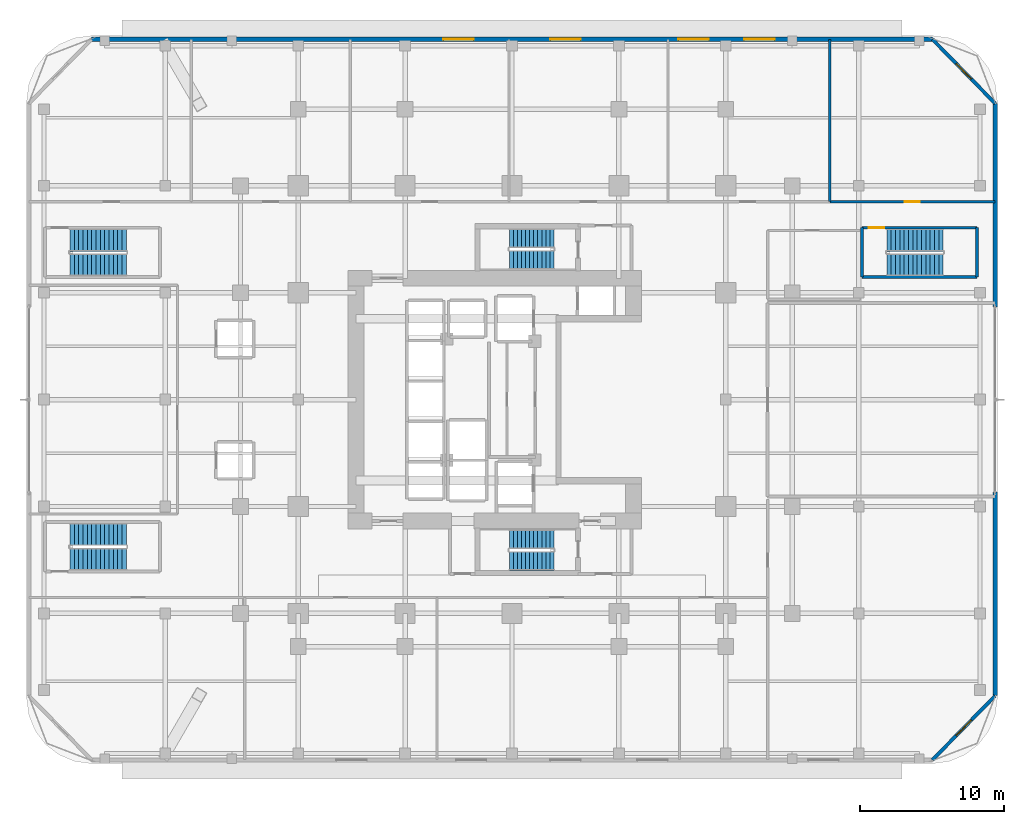
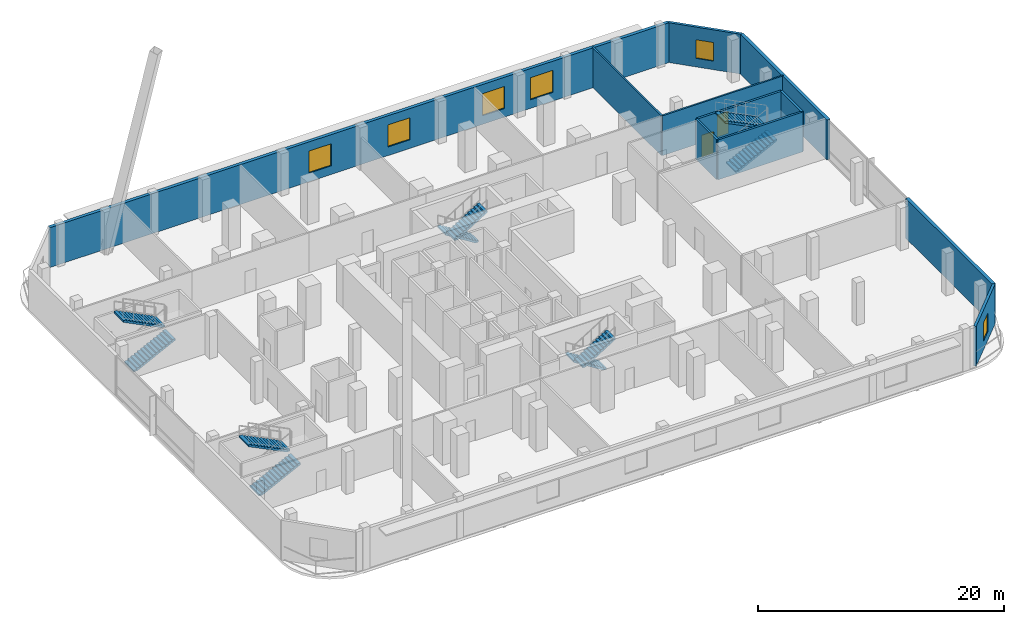
# One storey, part 11 of 19: 11 walls, 10 stair flights, 6 windows, 2 doors, 8 openings, 5 elements without a shape of their own.
"""IFC4 building model written with IfcOpenShell, lengths in metres."""

from ifc_helpers import new_model, si_unit, direction, frame, frame_2d, origin, place, context, subcontext, project, spatial, polyline, rectangle, outline, extrude, material, layer, layer_set, type_object, element, fill, aggregate, save


model = new_model("IFC4")

# Units and contexts
model_context = context("Model", 3, precision=1e-05, world=origin(), true_north=direction((0.0, 1.0)))
body_context = subcontext(model_context, "Body", "Model", "MODEL_VIEW")
ifc_project = project(units=[si_unit("LENGTHUNIT", "METRE"), si_unit("AREAUNIT", "SQUARE_METRE"), si_unit("VOLUMEUNIT", "CUBIC_METRE"), si_unit("PLANEANGLEUNIT", "RADIAN"), si_unit("MASSUNIT", "GRAM", prefix="KILO")], contexts=[model_context])

# Site, building, storey
site_placement = place(None, origin())
site = spatial("IfcSite", under=ifc_project, at=site_placement, CompositionType="ELEMENT")
building_placement = place(site_placement, origin())
building = spatial("IfcBuilding", under=site, at=building_placement, Name="Khorvyn Point Tower", CompositionType="ELEMENT")
storey_placement = place(building_placement, frame((0.0, 0.0, 4.800048828125)))
storey = spatial("IfcBuildingStorey", under=building, at=storey_placement, Name="L02", CompositionType="ELEMENT", Elevation=4.800048828125)

# Wall, opening, window
ifc_material_1 = material(Name="Pale anodised aluminium rainscreen on steel stud", Category="steel")
ifc_layer_1 = layer(ifc_material_1, 0.239990234375)
ifc_layer_set_1 = layer_set([ifc_layer_1], Name="Anodised Aluminium Insulated Corner Spandrel Wall 240")
wall_type_1 = type_object("IfcWallType", Name="Anodised Aluminium Insulated Corner Spandrel Wall 240", PredefinedType="SOLIDWALL", material=ifc_layer_set_1)
wall_1_placement = place(storey_placement, frame((29.10009765625, 24.949951171875, 0.0), z_axis=(0.0, 0.0, 1.0), x_axis=(0.69901822973, -0.715103848756, 0.0)))
wall_1 = element("IfcWall", 1, at=wall_1_placement, inside=storey, type_object=wall_type_1, Name="L02 Rounded Corner Wall NE", PredefinedType="SOLIDWALL", context=body_context, shape_type="SweptSolid", body=[
    extrude(rectangle(XDim=6.222900390625, YDim=0.239990234375, at=frame_2d((3.111328125, 0.0))), origin(), (0.0, 0.0, 1.0), 3.9599609375),
])
opening_1_placement = place(wall_1_placement, frame((2.361572265625, 0.0, 0.85009765625)))
opening_1 = element("IfcOpeningElement", 2, at=opening_1_placement, cuts=wall_1, Name="Opening WN-1518", PredefinedType="OPENING", context=body_context, shape_type="SweptSolid", body=[
    extrude(rectangle(XDim=1.5, YDim=1.85009765625, at=frame_2d((0.75, 0.925048828125))), frame((0.0, 0.1298828125, 0.0), z_axis=(0.0, -1.0, 0.0), x_axis=(1.0, 0.0, 0.0)), (0.0, 0.0, 1.0), 0.260009765625),
])
ifc_material_2 = material(Name="Anodised aluminium 6063-T6 and laminated Low-E glass", Category="aluminium")
window_type_1 = type_object("IfcWindowType", Name="Anodised Aluminium Rounded-Corner Panoramic Window 1500x1850", PartitioningType="SINGLE_PANEL", PredefinedType="WINDOW", material=ifc_material_2)
window_1_placement = place(opening_1_placement, origin())
window_1 = element("IfcWindow", 3, at=window_1_placement, inside=storey, type_object=window_type_1, Name="L02 Corner Window NE", OverallHeight=1.85009765625, OverallWidth=1.5, PartitioningType="SINGLE_PANEL", PredefinedType="WINDOW", context=body_context, shape_type="SweptSolid", body=[
    extrude(rectangle(XDim=1.5, YDim=1.85009765625, at=frame_2d((0.75, 0.925048828125))), frame((0.0, 0.030029296875, 0.0), z_axis=(0.0, -1.0, 0.0), x_axis=(1.0, 0.0, 0.0)), (0.0, 0.0, 1.0), 0.06005859375),
])
fill(opening_1, window_1)

wall_2_placement = place(storey_placement, frame((33.449951171875, -20.5, 0.0), z_axis=(0.0, 0.0, 1.0), x_axis=(-0.69901822973, -0.715103848756, 0.0)))
wall_2 = element("IfcWall", 4, at=wall_2_placement, inside=storey, type_object=wall_type_1, Name="L02 Rounded Corner Wall SE", PredefinedType="SOLIDWALL", context=body_context, shape_type="SweptSolid", body=[
    extrude(rectangle(XDim=6.222900390625, YDim=0.239990234375, at=frame_2d((3.111328125, 0.0))), origin(), (0.0, 0.0, 1.0), 3.9599609375),
])
opening_2_placement = place(wall_2_placement, frame((2.361572265625, 0.0, 0.85009765625)))
opening_2 = element("IfcOpeningElement", 5, at=opening_2_placement, cuts=wall_2, Name="Opening WN-1518", PredefinedType="OPENING", context=body_context, shape_type="SweptSolid", body=[
    extrude(rectangle(XDim=1.5, YDim=1.85009765625, at=frame_2d((0.75, 0.925048828125))), frame((0.0, 0.1298828125, 0.0), z_axis=(0.0, -1.0, 0.0), x_axis=(1.0, 0.0, 0.0)), (0.0, 0.0, 1.0), 0.260009765625),
])
window_2_placement = place(opening_2_placement, origin())
window_2 = element("IfcWindow", 6, at=window_2_placement, inside=storey, type_object=window_type_1, Name="L02 Corner Window SE", OverallHeight=1.85009765625, OverallWidth=1.5, PartitioningType="SINGLE_PANEL", PredefinedType="WINDOW", context=body_context, shape_type="SweptSolid", body=[
    extrude(rectangle(XDim=1.5, YDim=1.85009765625, at=frame_2d((0.75, 0.925048828125))), frame((0.0, 0.030029296875, 0.0), z_axis=(0.0, -1.0, 0.0), x_axis=(1.0, 0.0, 0.0)), (0.0, 0.0, 1.0), 0.06005859375),
])
fill(opening_2, window_2)

# Walls
ifc_material_3 = material(Name="Concrete C40/50", Category="concrete")
ifc_layer_2 = layer(ifc_material_3, 0.199951171875)
ifc_layer_set_2 = layer_set([ifc_layer_2], Name="Concrete C40/50 Structural Hoistway and Stair Shaft Wall 200")
wall_type_2 = type_object("IfcWallType", Name="Concrete C40/50 Structural Hoistway and Stair Shaft Wall 200", PredefinedType="SHEAR", material=ifc_layer_set_2)
for number, where, z_axis, x_axis, name in (
    (7, (24.219970703125, 8.47998046875, 0.0), (0.0, 0.0, 1.0), (0.0, 1.0, 0.0), "Wall"),
    (8, (32.179931640625, 11.89990234375, 0.0), (0.0, 0.0, 1.0), (0.0, -1.0, 0.0), "Wall"),
):
    element("IfcWall", number, at=place(storey_placement, frame(where, z_axis=z_axis, x_axis=x_axis)), inside=storey, type_object=wall_type_2, Name=name, PredefinedType="SHEAR", context=body_context, shape_type="SweptSolid", body=[
        extrude(rectangle(XDim=3.419921875, YDim=0.199951171875, at=frame_2d((1.7099609375, 0.0))), origin(), (0.0, 0.0, 1.0), 3.9599609375),
    ])
wall_3_placement = place(storey_placement, frame((32.179931640625, 8.47998046875, 0.0), z_axis=(0.0, 0.0, 1.0), x_axis=(-1.0, 0.0, 0.0)))
element("IfcWall", 9, at=wall_3_placement, inside=storey, type_object=wall_type_2, Name="Wall", PredefinedType="SHEAR", context=body_context, shape_type="SweptSolid", body=[
    extrude(rectangle(XDim=7.9599609375, YDim=0.199951171875, at=frame_2d((3.97998046875, 0.0))), origin(), (0.0, 0.0, 1.0), 3.9599609375),
])

# Wall, opening, door
wall_4_placement = place(storey_placement, frame((24.219970703125, 11.89990234375, 0.0), z_axis=(0.0, 0.0, 1.0), x_axis=(1.0, 0.0, 0.0)))
wall_4 = element("IfcWall", 10, at=wall_4_placement, inside=storey, type_object=wall_type_2, Name="Wall", PredefinedType="SHEAR", context=body_context, shape_type="SweptSolid", body=[
    extrude(rectangle(XDim=7.9599609375, YDim=0.199951171875, at=frame_2d((3.97998046875, 0.0))), origin(), (0.0, 0.0, 1.0), 3.9599609375),
])
opening_3_placement = place(wall_4_placement, frame((0.4599609375, 0.0, 0.0)))
opening_3 = element("IfcOpeningElement", 11, at=opening_3_placement, cuts=wall_4, Name="Opening ID-FL90", PredefinedType="OPENING", context=body_context, shape_type="SweptSolid", body=[
    extrude(rectangle(XDim=1.10009765625, YDim=2.14990234375, at=frame_2d((0.550048828125, 1.074951171875))), frame((0.0, 0.10986328125, 0.0), z_axis=(0.0, -1.0, 0.0), x_axis=(1.0, 0.0, 0.0)), (0.0, 0.0, 1.0), 0.219970703125),
])
ifc_material_4 = material(Name="Galvanised powder-coated steel", Category="steel")
door_type_1 = type_object("IfcDoorType", Name="Fire-Rated Steel Lobby and Stair Door 1100x2150", OperationType="NOTDEFINED", PredefinedType="DOOR", material=ifc_material_4)
door_1_placement = place(opening_3_placement, origin())
door_1 = element("IfcDoor", 12, at=door_1_placement, inside=storey, type_object=door_type_1, Name="L02 ST-S3 Smokeproof Landing Door", OperationType="SINGLE_SWING_LEFT", OverallHeight=2.14990234375, OverallWidth=1.10009765625, PredefinedType="DOOR", context=body_context, shape_type="SweptSolid", body=[
    extrude(rectangle(XDim=1.10009765625, YDim=2.14990234375, at=frame_2d((0.550048828125, 1.074951171875))), frame((0.0, 0.02490234375, 0.0), z_axis=(0.0, -1.0, 0.0), x_axis=(1.0, 0.0, 0.0)), (0.0, 0.0, 1.0), 0.050048828125),
])
fill(opening_3, door_1)

ifc_material_5 = material(Name="Moisture-resistant gypsum and cement board", Category="gypsum")
ifc_layer_3 = layer(ifc_material_5, 0.14990234375)
ifc_layer_set_3 = layer_set([ifc_layer_3], Name="Moisture-Resistant Wet-Room Partition Wall 150")
wall_type_3 = type_object("IfcWallType", Name="Moisture-Resistant Wet-Room Partition Wall 150", PredefinedType="PARTITIONING", material=ifc_layer_set_3)
wall_5_placement = place(storey_placement, frame((22.0, 13.699951171875, 0.0), z_axis=(0.0, 0.0, 1.0), x_axis=(1.0, 0.0, 0.0)))
wall_5 = element("IfcWall", 13, at=wall_5_placement, inside=storey, type_object=wall_type_3, Name="Wall", PredefinedType="PARTITIONING", context=body_context, shape_type="SweptSolid", body=[
    extrude(rectangle(XDim=11.419921875, YDim=0.14990234375, at=frame_2d((5.7099609375, 0.0))), origin(), (0.0, 0.0, 1.0), 3.9599609375),
])
opening_4_placement = place(wall_5_placement, frame((5.18505859375, 0.0, 0.0)))
opening_4 = element("IfcOpeningElement", 14, at=opening_4_placement, cuts=wall_5, Name="Opening ID-CL30", PredefinedType="OPENING", context=body_context, shape_type="SweptSolid", body=[
    extrude(rectangle(XDim=1.050048828125, YDim=2.199951171875, at=frame_2d((0.52490234375, 1.10009765625))), frame((0.0, 0.0849609375, 0.0), z_axis=(0.0, -1.0, 0.0), x_axis=(1.0, 0.0, 0.0)), (0.0, 0.0, 1.0), 0.169921875),
])
ifc_material_6 = material(Name="Hardwood timber and wired safety glass", Category="wood")
door_type_2 = type_object("IfcDoorType", Name="Glazed-Vision-Panel Classroom Timber Door 1050x2200", OperationType="NOTDEFINED", PredefinedType="DOOR", material=ifc_material_6)
door_2_placement = place(opening_4_placement, origin())
door_2 = element("IfcDoor", 15, at=door_2_placement, inside=storey, type_object=door_type_2, Name="Door", OperationType="SINGLE_SWING_LEFT", OverallHeight=2.199951171875, OverallWidth=1.050048828125, PredefinedType="DOOR", context=body_context, shape_type="SweptSolid", body=[
    extrude(rectangle(XDim=1.050048828125, YDim=2.199951171875, at=frame_2d((0.52490234375, 1.10009765625))), frame((0.0, 0.02490234375, 0.0), z_axis=(0.0, -1.0, 0.0), x_axis=(1.0, 0.0, 0.0)), (0.0, 0.0, 1.0), 0.050048828125),
])
fill(opening_4, door_2)

# Wall
wall_6_placement = place(storey_placement, frame((22.0, 13.699951171875, 0.0), z_axis=(0.0, 0.0, 1.0), x_axis=(0.0, 1.0, 0.0)))
element("IfcWall", 16, at=wall_6_placement, inside=storey, type_object=wall_type_3, Name="Wall", PredefinedType="PARTITIONING", context=body_context, shape_type="SweptSolid", body=[
    extrude(rectangle(XDim=11.219970703125, YDim=0.14990234375, at=frame_2d((5.60986328125, 0.0))), origin(), (0.0, 0.0, 1.0), 3.9599609375),
])

# Wall, openings, windows
ifc_material_7 = material(Name="Precast concrete C35/45", Category="concrete")
ifc_layer_4 = layer(ifc_material_7, 0.300048828125)
ifc_layer_set_4 = layer_set([ifc_layer_4], Name="Precast Concrete C35/45 Insulated Podium Facade Wall 300")
wall_type_4 = type_object("IfcWallType", Name="Precast Concrete C35/45 Insulated Podium Facade Wall 300", PredefinedType="SOLIDWALL", material=ifc_layer_set_4)
wall_7_placement = place(storey_placement, frame((-29.10009765625, 24.949951171875, 0.0), z_axis=(0.0, 0.0, 1.0), x_axis=(1.0, 0.0, 0.0)))
wall_7 = element("IfcWall", 17, at=wall_7_placement, inside=storey, type_object=wall_type_4, Name="L02 North Podium Facade Wall", PredefinedType="SOLIDWALL", context=body_context, shape_type="SweptSolid", body=[
    extrude(rectangle(XDim=58.2001953125, YDim=0.300048828125, at=frame_2d((29.10009765625, 0.0))), origin(), (0.0, 0.0, 1.0), 3.9599609375),
])
opening_5_placement = place(wall_7_placement, frame((24.35009765625, 0.0, 0.85009765625)))
opening_5 = element("IfcOpeningElement", 18, at=opening_5_placement, cuts=wall_7, Name="Opening WN-2122", PredefinedType="OPENING", context=body_context, shape_type="SweptSolid", body=[
    extrude(rectangle(XDim=2.10009765625, YDim=2.199951171875, at=frame_2d((1.050048828125, 1.10009765625))), frame((0.0, 0.159912109375, 0.0), z_axis=(0.0, -1.0, 0.0), x_axis=(1.0, 0.0, 0.0)), (0.0, 0.0, 1.0), 0.320068359375),
])
opening_6_placement = place(wall_7_placement, frame((31.75, 0.0, 0.85009765625)))
opening_6 = element("IfcOpeningElement", 19, at=opening_6_placement, cuts=wall_7, Name="Opening WN-2122", PredefinedType="OPENING", context=body_context, shape_type="SweptSolid", body=[
    extrude(rectangle(XDim=2.10009765625, YDim=2.199951171875, at=frame_2d((1.050048828125, 1.10009765625))), frame((0.0, 0.159912109375, 0.0), z_axis=(0.0, -1.0, 0.0), x_axis=(1.0, 0.0, 0.0)), (0.0, 0.0, 1.0), 0.320068359375),
])
opening_7_placement = place(wall_7_placement, frame((40.625, 0.0, 0.85009765625)))
opening_7 = element("IfcOpeningElement", 20, at=opening_7_placement, cuts=wall_7, Name="Opening WN-2122", PredefinedType="OPENING", context=body_context, shape_type="SweptSolid", body=[
    extrude(rectangle(XDim=2.10009765625, YDim=2.199951171875, at=frame_2d((1.050048828125, 1.10009765625))), frame((0.0, 0.159912109375, 0.0), z_axis=(0.0, -1.0, 0.0), x_axis=(1.0, 0.0, 0.0)), (0.0, 0.0, 1.0), 0.320068359375),
])
opening_8_placement = place(wall_7_placement, frame((45.175048828125, 0.0, 0.85009765625)))
opening_8 = element("IfcOpeningElement", 21, at=opening_8_placement, cuts=wall_7, Name="Opening WN-2122", PredefinedType="OPENING", context=body_context, shape_type="SweptSolid", body=[
    extrude(rectangle(XDim=2.10009765625, YDim=2.199951171875, at=frame_2d((1.050048828125, 1.10009765625))), frame((0.0, 0.159912109375, 0.0), z_axis=(0.0, -1.0, 0.0), x_axis=(1.0, 0.0, 0.0)), (0.0, 0.0, 1.0), 0.320068359375),
])
window_type_2 = type_object("IfcWindowType", Name="Anodised Aluminium School Classroom Daylight Window 2100x2200", PartitioningType="TRIPLE_PANEL_HORIZONTAL", PredefinedType="WINDOW", material=ifc_material_2)
window_3_placement = place(opening_5_placement, origin())
window_3 = element("IfcWindow", 22, at=window_3_placement, inside=storey, type_object=window_type_2, Name="L02 North Classroom Daylight Window N1", OverallHeight=2.199951171875, OverallWidth=2.10009765625, PartitioningType="SINGLE_PANEL", PredefinedType="WINDOW", context=body_context, shape_type="SweptSolid", body=[
    extrude(rectangle(XDim=2.10009765625, YDim=2.199951171875, at=frame_2d((1.050048828125, 1.10009765625))), frame((0.0, 0.030029296875, 0.0), z_axis=(0.0, -1.0, 0.0), x_axis=(1.0, 0.0, 0.0)), (0.0, 0.0, 1.0), 0.06005859375),
])
fill(opening_5, window_3)
window_4_placement = place(opening_6_placement, origin())
window_4 = element("IfcWindow", 23, at=window_4_placement, inside=storey, type_object=window_type_2, Name="L02 North Classroom Daylight Window N2", OverallHeight=2.199951171875, OverallWidth=2.10009765625, PartitioningType="SINGLE_PANEL", PredefinedType="WINDOW", context=body_context, shape_type="SweptSolid", body=[
    extrude(rectangle(XDim=2.10009765625, YDim=2.199951171875, at=frame_2d((1.050048828125, 1.10009765625))), frame((0.0, 0.030029296875, 0.0), z_axis=(0.0, -1.0, 0.0), x_axis=(1.0, 0.0, 0.0)), (0.0, 0.0, 1.0), 0.06005859375),
])
fill(opening_6, window_4)
window_5_placement = place(opening_7_placement, origin())
window_5 = element("IfcWindow", 24, at=window_5_placement, inside=storey, type_object=window_type_2, Name="L02 North Classroom Daylight Window N3", OverallHeight=2.199951171875, OverallWidth=2.10009765625, PartitioningType="SINGLE_PANEL", PredefinedType="WINDOW", context=body_context, shape_type="SweptSolid", body=[
    extrude(rectangle(XDim=2.10009765625, YDim=2.199951171875, at=frame_2d((1.050048828125, 1.10009765625))), frame((0.0, 0.030029296875, 0.0), z_axis=(0.0, -1.0, 0.0), x_axis=(1.0, 0.0, 0.0)), (0.0, 0.0, 1.0), 0.06005859375),
])
fill(opening_7, window_5)
window_6_placement = place(opening_8_placement, origin())
window_6 = element("IfcWindow", 25, at=window_6_placement, inside=storey, type_object=window_type_2, Name="L02 North Classroom Daylight Window N4", OverallHeight=2.199951171875, OverallWidth=2.10009765625, PartitioningType="SINGLE_PANEL", PredefinedType="WINDOW", context=body_context, shape_type="SweptSolid", body=[
    extrude(rectangle(XDim=2.10009765625, YDim=2.199951171875, at=frame_2d((1.050048828125, 1.10009765625))), frame((0.0, 0.030029296875, 0.0), z_axis=(0.0, -1.0, 0.0), x_axis=(1.0, 0.0, 0.0)), (0.0, 0.0, 1.0), 0.06005859375),
])
fill(opening_8, window_6)

# Walls
for number, where, z_axis, x_axis, name in (
    (26, (33.449951171875, -20.5, 0.0), (0.0, 0.0, 1.0), (0.0, 1.0, 0.0), "Wall"),
    (27, (33.449951171875, 6.409912109375, 0.0), (0.0, 0.0, 1.0), (0.0, 1.0, 0.0), "Wall"),
):
    element("IfcWall", number, at=place(storey_placement, frame(where, z_axis=z_axis, x_axis=x_axis)), inside=storey, type_object=wall_type_4, Name=name, PredefinedType="SOLIDWALL", context=body_context, shape_type="SweptSolid", body=[
        extrude(rectangle(XDim=14.090087890625, YDim=0.300048828125, at=frame_2d((7.044921875, 0.0))), origin(), (0.0, 0.0, 1.0), 3.9599609375),
    ])

# Stair, stair flights
stair_type_1 = type_object("IfcStairType", Name="School Podium Concrete C40/50 Wide Exit Stair", PredefinedType="HALF_TURN_STAIR", material=ifc_material_3)
stair_1_placement = place(storey_placement, origin())
stair_1 = element("IfcStair", 28, at=stair_1_placement, inside=storey, type_object=stair_type_1, Name="L02 School Podium Smokeproof Stair Southwest", PredefinedType="HALF_TURN_STAIR")
stair_flight_type_1 = type_object("IfcStairFlightType", Name="School Podium Concrete C40/50 Gentle-Riser Flight", PredefinedType="STRAIGHT", material=ifc_material_3)
stair_flight_1_placement = place(storey_placement, frame((-30.60009765625, -11.044921875, 0.0), z_axis=(0.0, 0.0, 1.0), x_axis=(1.0, 0.0, 0.0)))
stair_flight_1 = element("IfcStairFlight", 29, at=stair_flight_1_placement, type_object=stair_flight_type_1, Name="ST-S1 flight 1", NumberOfRisers=14, NumberOfTreads=13, PredefinedType="STRAIGHT", RiserHeight=0.15, TreadLength=0.3, context=body_context, shape_type="SweptSolid", body=[
    extrude(outline(polyline([(0.0, 0.0), (0.0, 0.14990234375), (0.300048828125, 0.14990234375), (0.300048828125, 0.300048828125), (0.60009765625, 0.300048828125), (0.60009765625, 0.449951171875), (0.89990234375, 0.449951171875), (0.89990234375, 0.60009765625), (1.199951171875, 0.60009765625), (1.199951171875, 0.75), (1.5, 0.75), (1.5, 0.89990234375), (1.800048828125, 0.89990234375), (1.800048828125, 1.050048828125), (2.10009765625, 1.050048828125), (2.10009765625, 1.199951171875), (2.39990234375, 1.199951171875), (2.39990234375, 1.35009765625), (2.699951171875, 1.35009765625), (2.699951171875, 1.5), (3.0, 1.5), (3.0, 1.64990234375), (3.300048828125, 1.64990234375), (3.300048828125, 1.800048828125), (3.60009765625, 1.800048828125), (3.60009765625, 1.949951171875), (3.89990234375, 1.949951171875), (3.89990234375, 2.10009765625), (3.89990234375, 1.782470703125), (0.335205078125, 0.0), (0.0, 0.0)])), frame((0.0, 0.77490234375, 0.0), z_axis=(0.0, -1.0, 0.0), x_axis=(1.0, 0.0, 0.0)), (0.0, 0.0, 1.0), 1.550048828125),
])
stair_flight_2_placement = place(storey_placement, frame((-26.699951171875, -9.3349609375, 2.099853515625), z_axis=(0.0, 0.0, 1.0), x_axis=(-1.0, 0.0, 0.0)))
stair_flight_2 = element("IfcStairFlight", 30, at=stair_flight_2_placement, type_object=stair_flight_type_1, Name="ST-S1 flight 2", NumberOfRisers=14, NumberOfTreads=13, PredefinedType="STRAIGHT", RiserHeight=0.15, TreadLength=0.3, context=body_context, shape_type="SweptSolid", body=[
    extrude(outline(polyline([(0.0, 0.0), (0.0, 0.14990234375), (0.300048828125, 0.14990234375), (0.300048828125, 0.300048828125), (0.60009765625, 0.300048828125), (0.60009765625, 0.449951171875), (0.89990234375, 0.449951171875), (0.89990234375, 0.60009765625), (1.199951171875, 0.60009765625), (1.199951171875, 0.75), (1.5, 0.75), (1.5, 0.89990234375), (1.800048828125, 0.89990234375), (1.800048828125, 1.050048828125), (2.10009765625, 1.050048828125), (2.10009765625, 1.199951171875), (2.39990234375, 1.199951171875), (2.39990234375, 1.35009765625), (2.699951171875, 1.35009765625), (2.699951171875, 1.5), (3.0, 1.5), (3.0, 1.64990234375), (3.300048828125, 1.64990234375), (3.300048828125, 1.800048828125), (3.60009765625, 1.800048828125), (3.60009765625, 1.949951171875), (3.89990234375, 1.949951171875), (3.89990234375, 2.10009765625), (3.89990234375, 1.782470703125), (0.335205078125, 0.0), (0.0, 0.0)])), frame((0.0, 0.77490234375, 0.0), z_axis=(0.0, -1.0, 0.0), x_axis=(1.0, 0.0, 0.0)), (0.0, 0.0, 1.0), 1.550048828125),
])
aggregate(stair_1, [stair_flight_1, stair_flight_2])

stair_2_placement = place(storey_placement, origin())
stair_2 = element("IfcStair", 31, at=stair_2_placement, inside=storey, type_object=stair_type_1, Name="L02 School Podium Smokeproof Stair Northwest", PredefinedType="HALF_TURN_STAIR")
stair_flight_3_placement = place(storey_placement, frame((-30.60009765625, 9.3349609375, 0.0), z_axis=(0.0, 0.0, 1.0), x_axis=(1.0, 0.0, 0.0)))
stair_flight_3 = element("IfcStairFlight", 32, at=stair_flight_3_placement, type_object=stair_flight_type_1, Name="ST-S2 flight 1", NumberOfRisers=14, NumberOfTreads=13, PredefinedType="STRAIGHT", RiserHeight=0.15, TreadLength=0.3, context=body_context, shape_type="SweptSolid", body=[
    extrude(outline(polyline([(0.0, 0.0), (0.0, 0.14990234375), (0.300048828125, 0.14990234375), (0.300048828125, 0.300048828125), (0.60009765625, 0.300048828125), (0.60009765625, 0.449951171875), (0.89990234375, 0.449951171875), (0.89990234375, 0.60009765625), (1.199951171875, 0.60009765625), (1.199951171875, 0.75), (1.5, 0.75), (1.5, 0.89990234375), (1.800048828125, 0.89990234375), (1.800048828125, 1.050048828125), (2.10009765625, 1.050048828125), (2.10009765625, 1.199951171875), (2.39990234375, 1.199951171875), (2.39990234375, 1.35009765625), (2.699951171875, 1.35009765625), (2.699951171875, 1.5), (3.0, 1.5), (3.0, 1.64990234375), (3.300048828125, 1.64990234375), (3.300048828125, 1.800048828125), (3.60009765625, 1.800048828125), (3.60009765625, 1.949951171875), (3.89990234375, 1.949951171875), (3.89990234375, 2.10009765625), (3.89990234375, 1.782470703125), (0.335205078125, 0.0), (0.0, 0.0)])), frame((0.0, 0.77490234375, 0.0), z_axis=(0.0, -1.0, 0.0), x_axis=(1.0, 0.0, 0.0)), (0.0, 0.0, 1.0), 1.550048828125),
])
stair_flight_4_placement = place(storey_placement, frame((-26.699951171875, 11.044921875, 2.099853515625), z_axis=(0.0, 0.0, 1.0), x_axis=(-1.0, 0.0, 0.0)))
stair_flight_4 = element("IfcStairFlight", 33, at=stair_flight_4_placement, type_object=stair_flight_type_1, Name="ST-S2 flight 2", NumberOfRisers=14, NumberOfTreads=13, PredefinedType="STRAIGHT", RiserHeight=0.15, TreadLength=0.3, context=body_context, shape_type="SweptSolid", body=[
    extrude(outline(polyline([(0.0, 0.0), (0.0, 0.14990234375), (0.300048828125, 0.14990234375), (0.300048828125, 0.300048828125), (0.60009765625, 0.300048828125), (0.60009765625, 0.449951171875), (0.89990234375, 0.449951171875), (0.89990234375, 0.60009765625), (1.199951171875, 0.60009765625), (1.199951171875, 0.75), (1.5, 0.75), (1.5, 0.89990234375), (1.800048828125, 0.89990234375), (1.800048828125, 1.050048828125), (2.10009765625, 1.050048828125), (2.10009765625, 1.199951171875), (2.39990234375, 1.199951171875), (2.39990234375, 1.35009765625), (2.699951171875, 1.35009765625), (2.699951171875, 1.5), (3.0, 1.5), (3.0, 1.64990234375), (3.300048828125, 1.64990234375), (3.300048828125, 1.800048828125), (3.60009765625, 1.800048828125), (3.60009765625, 1.949951171875), (3.89990234375, 1.949951171875), (3.89990234375, 2.10009765625), (3.89990234375, 1.782470703125), (0.335205078125, 0.0), (0.0, 0.0)])), frame((0.0, 0.77490234375, 0.0), z_axis=(0.0, -1.0, 0.0), x_axis=(1.0, 0.0, 0.0)), (0.0, 0.0, 1.0), 1.550048828125),
])
aggregate(stair_2, [stair_flight_3, stair_flight_4])

stair_3_placement = place(storey_placement, origin())
stair_3 = element("IfcStair", 34, at=stair_3_placement, inside=storey, type_object=stair_type_1, Name="L02 School Podium Smokeproof Stair Northeast", PredefinedType="HALF_TURN_STAIR")
stair_flight_5_placement = place(storey_placement, frame((25.949951171875, 9.3349609375, 0.0), z_axis=(0.0, 0.0, 1.0), x_axis=(1.0, 0.0, 0.0)))
stair_flight_5 = element("IfcStairFlight", 35, at=stair_flight_5_placement, type_object=stair_flight_type_1, Name="ST-S3 flight 1", NumberOfRisers=14, NumberOfTreads=13, PredefinedType="STRAIGHT", RiserHeight=0.15, TreadLength=0.3, context=body_context, shape_type="SweptSolid", body=[
    extrude(outline(polyline([(0.0, 0.0), (0.0, 0.14990234375), (0.300048828125, 0.14990234375), (0.300048828125, 0.300048828125), (0.60009765625, 0.300048828125), (0.60009765625, 0.449951171875), (0.89990234375, 0.449951171875), (0.89990234375, 0.60009765625), (1.199951171875, 0.60009765625), (1.199951171875, 0.75), (1.5, 0.75), (1.5, 0.89990234375), (1.800048828125, 0.89990234375), (1.800048828125, 1.050048828125), (2.10009765625, 1.050048828125), (2.10009765625, 1.199951171875), (2.39990234375, 1.199951171875), (2.39990234375, 1.35009765625), (2.699951171875, 1.35009765625), (2.699951171875, 1.5), (3.0, 1.5), (3.0, 1.64990234375), (3.300048828125, 1.64990234375), (3.300048828125, 1.800048828125), (3.60009765625, 1.800048828125), (3.60009765625, 1.949951171875), (3.89990234375, 1.949951171875), (3.89990234375, 2.10009765625), (3.89990234375, 1.782470703125), (0.335205078125, 0.0), (0.0, 0.0)])), frame((0.0, 0.77490234375, 0.0), z_axis=(0.0, -1.0, 0.0), x_axis=(1.0, 0.0, 0.0)), (0.0, 0.0, 1.0), 1.550048828125),
])
stair_flight_6_placement = place(storey_placement, frame((29.85009765625, 11.044921875, 2.099853515625), z_axis=(0.0, 0.0, 1.0), x_axis=(-1.0, 0.0, 0.0)))
stair_flight_6 = element("IfcStairFlight", 36, at=stair_flight_6_placement, type_object=stair_flight_type_1, Name="ST-S3 flight 2", NumberOfRisers=14, NumberOfTreads=13, PredefinedType="STRAIGHT", RiserHeight=0.15, TreadLength=0.3, context=body_context, shape_type="SweptSolid", body=[
    extrude(outline(polyline([(0.0, 0.0), (0.0, 0.14990234375), (0.300048828125, 0.14990234375), (0.300048828125, 0.300048828125), (0.60009765625, 0.300048828125), (0.60009765625, 0.449951171875), (0.89990234375, 0.449951171875), (0.89990234375, 0.60009765625), (1.199951171875, 0.60009765625), (1.199951171875, 0.75), (1.5, 0.75), (1.5, 0.89990234375), (1.800048828125, 0.89990234375), (1.800048828125, 1.050048828125), (2.10009765625, 1.050048828125), (2.10009765625, 1.199951171875), (2.39990234375, 1.199951171875), (2.39990234375, 1.35009765625), (2.699951171875, 1.35009765625), (2.699951171875, 1.5), (3.0, 1.5), (3.0, 1.64990234375), (3.300048828125, 1.64990234375), (3.300048828125, 1.800048828125), (3.60009765625, 1.800048828125), (3.60009765625, 1.949951171875), (3.89990234375, 1.949951171875), (3.89990234375, 2.10009765625), (3.89990234375, 1.782470703125), (0.335205078125, 0.0), (0.0, 0.0)])), frame((0.0, 0.77490234375, 0.0), z_axis=(0.0, -1.0, 0.0), x_axis=(1.0, 0.0, 0.0)), (0.0, 0.0, 1.0), 1.550048828125),
])
aggregate(stair_3, [stair_flight_5, stair_flight_6])

stair_type_2 = type_object("IfcStairType", Name="Tower Concrete C40/50 Dogleg Exit Stair", PredefinedType="HALF_TURN_STAIR", material=ifc_material_3)
stair_4_placement = place(storey_placement, origin())
stair_4 = element("IfcStair", 37, at=stair_4_placement, inside=storey, type_object=stair_type_2, Name="L02 Tower Smokeproof Exit Stair South", PredefinedType="HALF_TURN_STAIR")
stair_flight_type_2 = type_object("IfcStairFlightType", Name="Tower Concrete C40/50 Stair Flight", PredefinedType="STRAIGHT", material=ifc_material_3)
stair_flight_7_placement = place(storey_placement, frame((2.89990234375, -9.679931640625, 0.0), z_axis=(0.0, 0.0, 1.0), x_axis=(-1.0, 0.0, 0.0)))
stair_flight_7 = element("IfcStairFlight", 38, at=stair_flight_7_placement, type_object=stair_flight_type_2, Name="ST-01 flight 1", NumberOfRisers=12, NumberOfTreads=11, PredefinedType="STRAIGHT", RiserHeight=0.175, TreadLength=0.28, context=body_context, shape_type="SweptSolid", body=[
    extrude(outline(polyline([(0.0, 0.0), (0.0, 0.175048828125), (0.280029296875, 0.175048828125), (0.280029296875, 0.35009765625), (0.56005859375, 0.35009765625), (0.56005859375, 0.52490234375), (0.840087890625, 0.52490234375), (0.840087890625, 0.699951171875), (1.1201171875, 0.699951171875), (1.1201171875, 0.875), (1.39990234375, 0.875), (1.39990234375, 1.050048828125), (1.679931640625, 1.050048828125), (1.679931640625, 1.22509765625), (1.9599609375, 1.22509765625), (1.9599609375, 1.39990234375), (2.239990234375, 1.39990234375), (2.239990234375, 1.574951171875), (2.52001953125, 1.574951171875), (2.52001953125, 1.75), (2.800048828125, 1.75), (2.800048828125, 1.925048828125), (3.080078125, 1.925048828125), (3.080078125, 2.10009765625), (3.080078125, 1.748291015625), (0.28271484375, 0.0), (0.0, 0.0)])), frame((0.0, 0.66015625, 0.0), z_axis=(0.0, -1.0, 0.0), x_axis=(1.0, 0.0, 0.0)), (0.0, 0.0, 1.0), 1.320068359375),
])
stair_flight_8_placement = place(storey_placement, frame((-0.179931640625, -11.159912109375, 2.099853515625), z_axis=(0.0, 0.0, 1.0), x_axis=(1.0, 0.0, 0.0)))
stair_flight_8 = element("IfcStairFlight", 39, at=stair_flight_8_placement, type_object=stair_flight_type_2, Name="ST-01 flight 2", NumberOfRisers=12, NumberOfTreads=11, PredefinedType="STRAIGHT", RiserHeight=0.175, TreadLength=0.28, context=body_context, shape_type="SweptSolid", body=[
    extrude(outline(polyline([(0.0, 0.0), (0.0, 0.175048828125), (0.280029296875, 0.175048828125), (0.280029296875, 0.35009765625), (0.56005859375, 0.35009765625), (0.56005859375, 0.52490234375), (0.840087890625, 0.52490234375), (0.840087890625, 0.699951171875), (1.1201171875, 0.699951171875), (1.1201171875, 0.875), (1.39990234375, 0.875), (1.39990234375, 1.050048828125), (1.679931640625, 1.050048828125), (1.679931640625, 1.22509765625), (1.9599609375, 1.22509765625), (1.9599609375, 1.39990234375), (2.239990234375, 1.39990234375), (2.239990234375, 1.574951171875), (2.52001953125, 1.574951171875), (2.52001953125, 1.75), (2.800048828125, 1.75), (2.800048828125, 1.925048828125), (3.080078125, 1.925048828125), (3.080078125, 2.10009765625), (3.080078125, 1.748291015625), (0.28271484375, 0.0), (0.0, 0.0)])), frame((0.0, 0.66015625, 0.0), z_axis=(0.0, -1.0, 0.0), x_axis=(1.0, 0.0, 0.0)), (0.0, 0.0, 1.0), 1.320068359375),
])
aggregate(stair_4, [stair_flight_7, stair_flight_8])

stair_5_placement = place(storey_placement, origin())
stair_5 = element("IfcStair", 40, at=stair_5_placement, inside=storey, type_object=stair_type_2, Name="L02 Tower Smokeproof Exit Stair North", PredefinedType="HALF_TURN_STAIR")
stair_flight_9_placement = place(storey_placement, frame((2.89990234375, 11.159912109375, 0.0), z_axis=(0.0, 0.0, 1.0), x_axis=(-1.0, 0.0, 0.0)))
stair_flight_9 = element("IfcStairFlight", 41, at=stair_flight_9_placement, type_object=stair_flight_type_2, Name="ST-02 flight 1", NumberOfRisers=12, NumberOfTreads=11, PredefinedType="STRAIGHT", RiserHeight=0.175, TreadLength=0.28, context=body_context, shape_type="SweptSolid", body=[
    extrude(outline(polyline([(0.0, 0.0), (0.0, 0.175048828125), (0.280029296875, 0.175048828125), (0.280029296875, 0.35009765625), (0.56005859375, 0.35009765625), (0.56005859375, 0.52490234375), (0.840087890625, 0.52490234375), (0.840087890625, 0.699951171875), (1.1201171875, 0.699951171875), (1.1201171875, 0.875), (1.39990234375, 0.875), (1.39990234375, 1.050048828125), (1.679931640625, 1.050048828125), (1.679931640625, 1.22509765625), (1.9599609375, 1.22509765625), (1.9599609375, 1.39990234375), (2.239990234375, 1.39990234375), (2.239990234375, 1.574951171875), (2.52001953125, 1.574951171875), (2.52001953125, 1.75), (2.800048828125, 1.75), (2.800048828125, 1.925048828125), (3.080078125, 1.925048828125), (3.080078125, 2.10009765625), (3.080078125, 1.748291015625), (0.28271484375, 0.0), (0.0, 0.0)])), frame((0.0, 0.66015625, 0.0), z_axis=(0.0, -1.0, 0.0), x_axis=(1.0, 0.0, 0.0)), (0.0, 0.0, 1.0), 1.320068359375),
])
stair_flight_10_placement = place(storey_placement, frame((-0.179931640625, 9.679931640625, 2.099853515625), z_axis=(0.0, 0.0, 1.0), x_axis=(1.0, 0.0, 0.0)))
stair_flight_10 = element("IfcStairFlight", 42, at=stair_flight_10_placement, type_object=stair_flight_type_2, Name="ST-02 flight 2", NumberOfRisers=12, NumberOfTreads=11, PredefinedType="STRAIGHT", RiserHeight=0.175, TreadLength=0.28, context=body_context, shape_type="SweptSolid", body=[
    extrude(outline(polyline([(0.0, 0.0), (0.0, 0.175048828125), (0.280029296875, 0.175048828125), (0.280029296875, 0.35009765625), (0.56005859375, 0.35009765625), (0.56005859375, 0.52490234375), (0.840087890625, 0.52490234375), (0.840087890625, 0.699951171875), (1.1201171875, 0.699951171875), (1.1201171875, 0.875), (1.39990234375, 0.875), (1.39990234375, 1.050048828125), (1.679931640625, 1.050048828125), (1.679931640625, 1.22509765625), (1.9599609375, 1.22509765625), (1.9599609375, 1.39990234375), (2.239990234375, 1.39990234375), (2.239990234375, 1.574951171875), (2.52001953125, 1.574951171875), (2.52001953125, 1.75), (2.800048828125, 1.75), (2.800048828125, 1.925048828125), (3.080078125, 1.925048828125), (3.080078125, 2.10009765625), (3.080078125, 1.748291015625), (0.28271484375, 0.0), (0.0, 0.0)])), frame((0.0, 0.66015625, 0.0), z_axis=(0.0, -1.0, 0.0), x_axis=(1.0, 0.0, 0.0)), (0.0, 0.0, 1.0), 1.320068359375),
])
aggregate(stair_5, [stair_flight_9, stair_flight_10])

save(model, "model.ifc")
